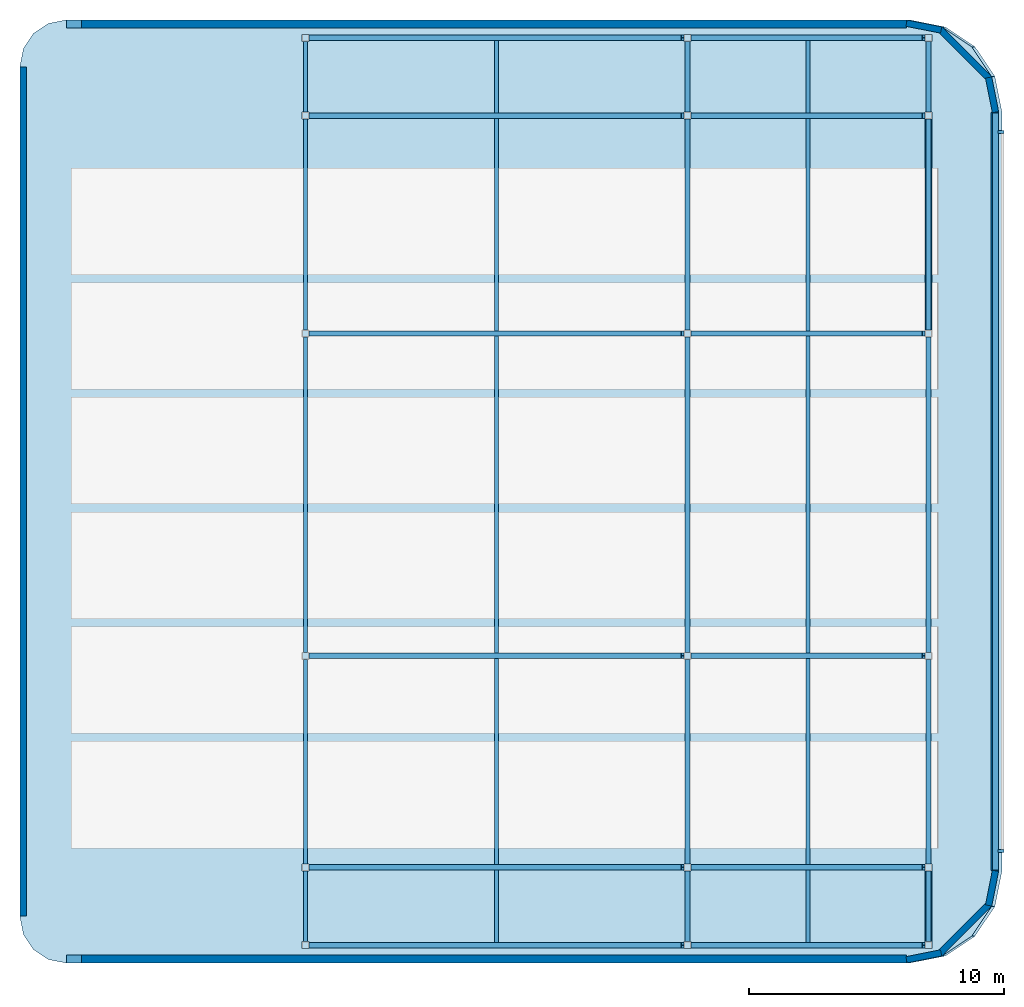
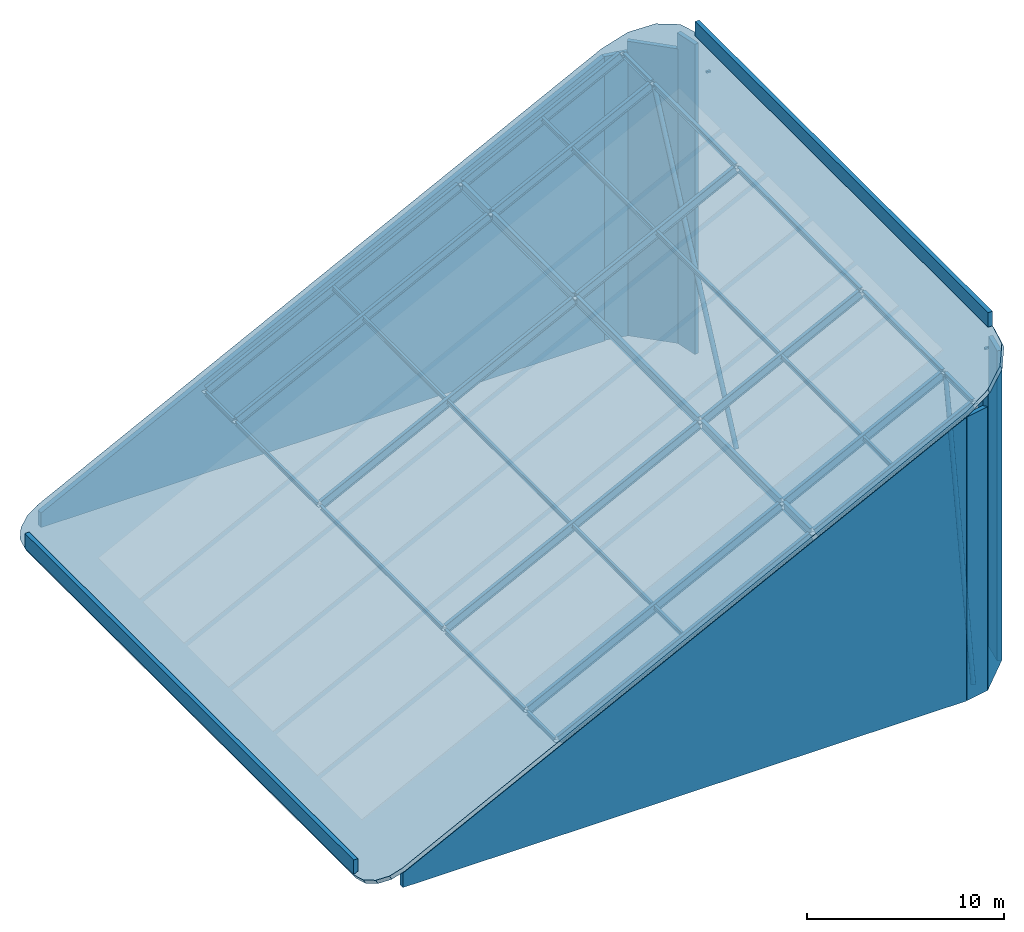
# One storey, part 3 of 4: 27 beams, 18 plates, 11 walls, 4 members, 2 discrete accessories, 1 slab.
"""IFC4 building model written with IfcOpenShell, lengths in metres."""

from ifc_helpers import new_model, si_unit, direction, frame, frame_2d, origin, origin_2d, place, context, subcontext, project, spatial, polyline, rectangle, hollow_circle, i_section, outline, extrude, material, layer, layer_set, material_profile, profile_set, type_object, element, save


model = new_model("IFC4")

# Units and contexts
model_context = context("Model", 3, precision=1e-05, world=origin(), true_north=direction((0.0, 1.0)))
body_context = subcontext(model_context, "Body", "Model", "MODEL_VIEW")
ifc_project = project(units=[si_unit("LENGTHUNIT", "METRE"), si_unit("AREAUNIT", "SQUARE_METRE"), si_unit("VOLUMEUNIT", "CUBIC_METRE"), si_unit("PLANEANGLEUNIT", "RADIAN"), si_unit("MASSUNIT", "GRAM", prefix="KILO")], contexts=[model_context])

# Site, building, storey
site_placement = place(None, origin())
site = spatial("IfcSite", under=ifc_project, at=site_placement, CompositionType="ELEMENT")
building_placement = place(site_placement, origin())
building = spatial("IfcBuilding", under=site, at=building_placement, Name="Ochreholt Gables", CompositionType="ELEMENT")
storey_placement = place(building_placement, frame((0.0, 0.0, 293.0)))
storey = spatial("IfcBuildingStorey", under=building, at=storey_placement, Name="Roof", CompositionType="ELEMENT", Elevation=293.0)

# Beams
ifc_material_1 = material(Name="Steel CSA G40.21 350W", Category="steel")
ifc_material_profile_1 = material_profile(ifc_material_1, i_section(OverallWidth=0.14794921875, OverallDepth=0.26611328125, WebThickness=0.007568359375, FlangeThickness=0.012939453125, at=origin_2d()), Name="W250X45")
ifc_profile_set_1 = profile_set([ifc_material_profile_1], Name="Steel CSA G40.21 350W")
beam_type_1 = type_object("IfcBeamType", Name="BM-EAV-W250", PredefinedType="SPANDREL", material=ifc_profile_set_1)
beam_1_placement = place(storey_placement, frame((35.199951171875, 6.326904296875, 5.3544921875), z_axis=(0.0, 1.0, 0.0), x_axis=(-1.0, 0.0, 0.0)))
element("IfcBeam", 1, at=beam_1_placement, inside=storey, type_object=beam_type_1, Name="Roof Crown Tie Girder C2-1", PredefinedType="SPANDREL", context=body_context, shape_type="SweptSolid", body=[
    extrude(i_section(OverallWidth=0.14794921875, OverallDepth=0.26611328125, WebThickness=0.007568359375, FlangeThickness=0.012939453125, at=origin_2d()), origin(), (0.0, 0.0, 1.0), 2.796142578125),
])
beam_2_placement = place(storey_placement, frame((35.199951171875, 9.376953125, 5.3544921875), z_axis=(0.0, 1.0, 0.0), x_axis=(-1.0, 0.0, 0.0)))
element("IfcBeam", 2, at=beam_2_placement, inside=storey, type_object=beam_type_1, Name="Roof Crown Tie Girder C2-2", PredefinedType="SPANDREL", context=body_context, shape_type="SweptSolid", body=[
    extrude(i_section(OverallWidth=0.14794921875, OverallDepth=0.26611328125, WebThickness=0.007568359375, FlangeThickness=0.012939453125, at=origin_2d()), origin(), (0.0, 0.0, 1.0), 8.046142578125),
])
beam_3_placement = place(storey_placement, frame((35.199951171875, 17.677001953125, 5.3544921875), z_axis=(0.0, 1.0, 0.0), x_axis=(-1.0, 0.0, 0.0)))
element("IfcBeam", 3, at=beam_3_placement, inside=storey, type_object=beam_type_1, Name="Roof Crown Tie Girder C2-3", PredefinedType="SPANDREL", context=body_context, shape_type="SweptSolid", body=[
    extrude(i_section(OverallWidth=0.14794921875, OverallDepth=0.26611328125, WebThickness=0.007568359375, FlangeThickness=0.012939453125, at=origin_2d()), origin(), (0.0, 0.0, 1.0), 12.39599609375),
])
beam_4_placement = place(storey_placement, frame((35.199951171875, 30.326904296875, 5.3544921875), z_axis=(0.0, 1.0, 0.0), x_axis=(-1.0, 0.0, 0.0)))
element("IfcBeam", 4, at=beam_4_placement, inside=storey, type_object=beam_type_1, Name="Roof Crown Tie Girder C2-4", PredefinedType="SPANDREL", context=body_context, shape_type="SweptSolid", body=[
    extrude(i_section(OverallWidth=0.14794921875, OverallDepth=0.26611328125, WebThickness=0.007568359375, FlangeThickness=0.012939453125, at=origin_2d()), origin(), (0.0, 0.0, 1.0), 8.296142578125),
])
beam_5_placement = place(storey_placement, frame((35.199951171875, 38.876953125, 5.3544921875), z_axis=(0.0, 1.0, 0.0), x_axis=(-1.0, 0.0, 0.0)))
element("IfcBeam", 5, at=beam_5_placement, inside=storey, type_object=beam_type_1, Name="Roof Crown Tie Girder C2-5", PredefinedType="SPANDREL", context=body_context, shape_type="SweptSolid", body=[
    extrude(i_section(OverallWidth=0.14794921875, OverallDepth=0.26611328125, WebThickness=0.007568359375, FlangeThickness=0.012939453125, at=origin_2d()), origin(), (0.0, 0.0, 1.0), 2.796142578125),
])
ifc_material_profile_2 = material_profile(ifc_material_1, i_section(OverallWidth=0.2109375, OverallDepth=0.5390625, WebThickness=0.01171875, FlangeThickness=0.018798828125, at=origin_2d()), Name="W530X109")
ifc_profile_set_2 = profile_set([ifc_material_profile_2], Name="Steel CSA G40.21 350W")
beam_type_2 = type_object("IfcBeamType", Name="BM-G-W530A", PredefinedType="BEAM", material=ifc_profile_set_2)
beam_6_placement = place(storey_placement, frame((35.326904296875, 6.199951171875, 5.418701171875), z_axis=(0.892559308386, 0.0, 0.450930017867), x_axis=(0.0, 1.0, 0.0)))
element("IfcBeam", 6, at=beam_6_placement, inside=storey, type_object=beam_type_2, Name="Roof Slanted Crown Rafter C2EM-Y1", PredefinedType="BEAM", context=body_context, shape_type="SweptSolid", body=[
    extrude(i_section(OverallWidth=0.2109375, OverallDepth=0.5390625, WebThickness=0.01171875, FlangeThickness=0.018798828125, at=origin_2d()), origin(), (0.0, 0.0, 1.0), 16.510986328125),
])
beam_7_placement = place(storey_placement, frame((50.318115234375, 6.199951171875, 12.992431640625), z_axis=(0.892554103921, 0.0, 0.450940319304), x_axis=(0.0, 1.0, 0.0)))
element("IfcBeam", 7, at=beam_7_placement, inside=storey, type_object=beam_type_2, Name="Roof Slanted Crown Rafter EMEE-Y1", PredefinedType="BEAM", context=body_context, shape_type="SweptSolid", body=[
    extrude(i_section(OverallWidth=0.2109375, OverallDepth=0.5390625, WebThickness=0.01171875, FlangeThickness=0.018798828125, at=origin_2d()), origin(), (0.0, 0.0, 1.0), 10.313720703125),
])
beam_8_placement = place(storey_placement, frame((35.326904296875, 9.25, 5.418701171875), z_axis=(0.892559308386, 0.0, 0.450930017867), x_axis=(0.0, 1.0, 0.0)))
element("IfcBeam", 8, at=beam_8_placement, inside=storey, type_object=beam_type_2, Name="Roof Slanted Crown Rafter C2EM-Y2", PredefinedType="BEAM", context=body_context, shape_type="SweptSolid", body=[
    extrude(i_section(OverallWidth=0.2109375, OverallDepth=0.5390625, WebThickness=0.01171875, FlangeThickness=0.018798828125, at=origin_2d()), origin(), (0.0, 0.0, 1.0), 16.510986328125),
])
beam_9_placement = place(storey_placement, frame((50.318115234375, 9.25, 12.992431640625), z_axis=(0.892554103921, 0.0, 0.450940319304), x_axis=(0.0, 1.0, 0.0)))
element("IfcBeam", 9, at=beam_9_placement, inside=storey, type_object=beam_type_2, Name="Roof Slanted Crown Rafter EMEE-Y2", PredefinedType="BEAM", context=body_context, shape_type="SweptSolid", body=[
    extrude(i_section(OverallWidth=0.2109375, OverallDepth=0.5390625, WebThickness=0.01171875, FlangeThickness=0.018798828125, at=origin_2d()), origin(), (0.0, 0.0, 1.0), 10.313720703125),
])
beam_10_placement = place(storey_placement, frame((35.326904296875, 17.550048828125, 5.418701171875), z_axis=(0.892559308386, 0.0, 0.450930017867), x_axis=(0.0, 1.0, 0.0)))
element("IfcBeam", 10, at=beam_10_placement, inside=storey, type_object=beam_type_2, Name="Roof Slanted Crown Rafter C2EM-Y3", PredefinedType="BEAM", context=body_context, shape_type="SweptSolid", body=[
    extrude(i_section(OverallWidth=0.2109375, OverallDepth=0.5390625, WebThickness=0.01171875, FlangeThickness=0.018798828125, at=origin_2d()), origin(), (0.0, 0.0, 1.0), 16.510986328125),
])
beam_11_placement = place(storey_placement, frame((50.318115234375, 17.550048828125, 12.992431640625), z_axis=(0.892554103921, 0.0, 0.450940319304), x_axis=(0.0, 1.0, 0.0)))
element("IfcBeam", 11, at=beam_11_placement, inside=storey, type_object=beam_type_2, Name="Roof Slanted Crown Rafter EMEE-Y3", PredefinedType="BEAM", context=body_context, shape_type="SweptSolid", body=[
    extrude(i_section(OverallWidth=0.2109375, OverallDepth=0.5390625, WebThickness=0.01171875, FlangeThickness=0.018798828125, at=origin_2d()), origin(), (0.0, 0.0, 1.0), 10.313720703125),
])
beam_12_placement = place(storey_placement, frame((35.326904296875, 30.199951171875, 5.418701171875), z_axis=(0.892559308386, 0.0, 0.450930017867), x_axis=(0.0, 1.0, 0.0)))
element("IfcBeam", 12, at=beam_12_placement, inside=storey, type_object=beam_type_2, Name="Roof Slanted Crown Rafter C2EM-Y4", PredefinedType="BEAM", context=body_context, shape_type="SweptSolid", body=[
    extrude(i_section(OverallWidth=0.2109375, OverallDepth=0.5390625, WebThickness=0.01171875, FlangeThickness=0.018798828125, at=origin_2d()), origin(), (0.0, 0.0, 1.0), 16.510986328125),
])
beam_13_placement = place(storey_placement, frame((50.318115234375, 30.199951171875, 12.992431640625), z_axis=(0.892554103921, 0.0, 0.450940319304), x_axis=(0.0, 1.0, 0.0)))
element("IfcBeam", 13, at=beam_13_placement, inside=storey, type_object=beam_type_2, Name="Roof Slanted Crown Rafter EMEE-Y4", PredefinedType="BEAM", context=body_context, shape_type="SweptSolid", body=[
    extrude(i_section(OverallWidth=0.2109375, OverallDepth=0.5390625, WebThickness=0.01171875, FlangeThickness=0.018798828125, at=origin_2d()), origin(), (0.0, 0.0, 1.0), 10.313720703125),
])
beam_14_placement = place(storey_placement, frame((35.326904296875, 38.75, 5.418701171875), z_axis=(0.892559308386, 0.0, 0.450930017867), x_axis=(0.0, 1.0, 0.0)))
element("IfcBeam", 14, at=beam_14_placement, inside=storey, type_object=beam_type_2, Name="Roof Slanted Crown Rafter C2EM-Y5", PredefinedType="BEAM", context=body_context, shape_type="SweptSolid", body=[
    extrude(i_section(OverallWidth=0.2109375, OverallDepth=0.5390625, WebThickness=0.01171875, FlangeThickness=0.018798828125, at=origin_2d()), origin(), (0.0, 0.0, 1.0), 16.510986328125),
])
beam_15_placement = place(storey_placement, frame((50.318115234375, 38.75, 12.992431640625), z_axis=(0.892554103921, 0.0, 0.450940319304), x_axis=(0.0, 1.0, 0.0)))
element("IfcBeam", 15, at=beam_15_placement, inside=storey, type_object=beam_type_2, Name="Roof Slanted Crown Rafter EMEE-Y5", PredefinedType="BEAM", context=body_context, shape_type="SweptSolid", body=[
    extrude(i_section(OverallWidth=0.2109375, OverallDepth=0.5390625, WebThickness=0.01171875, FlangeThickness=0.018798828125, at=origin_2d()), origin(), (0.0, 0.0, 1.0), 10.313720703125),
])
beam_16_placement = place(storey_placement, frame((35.326904296875, 41.800048828125, 5.418701171875), z_axis=(0.892559308386, 0.0, 0.450930017867), x_axis=(0.0, 1.0, 0.0)))
element("IfcBeam", 16, at=beam_16_placement, inside=storey, type_object=beam_type_2, Name="Roof Slanted Crown Rafter C2EM-Y6", PredefinedType="BEAM", context=body_context, shape_type="SweptSolid", body=[
    extrude(i_section(OverallWidth=0.2109375, OverallDepth=0.5390625, WebThickness=0.01171875, FlangeThickness=0.018798828125, at=origin_2d()), origin(), (0.0, 0.0, 1.0), 16.510986328125),
])
beam_17_placement = place(storey_placement, frame((50.318115234375, 41.800048828125, 12.992431640625), z_axis=(0.892554103921, 0.0, 0.450940319304), x_axis=(0.0, 1.0, 0.0)))
element("IfcBeam", 17, at=beam_17_placement, inside=storey, type_object=beam_type_2, Name="Roof Slanted Crown Rafter EMEE-Y6", PredefinedType="BEAM", context=body_context, shape_type="SweptSolid", body=[
    extrude(i_section(OverallWidth=0.2109375, OverallDepth=0.5390625, WebThickness=0.01171875, FlangeThickness=0.018798828125, at=origin_2d()), origin(), (0.0, 0.0, 1.0), 10.313720703125),
])
beam_18_placement = place(storey_placement, frame((50.19091796875, 6.326904296875, 12.92822265625), z_axis=(0.0, 1.0, 0.0), x_axis=(-1.0, 0.0, 0.0)))
element("IfcBeam", 18, at=beam_18_placement, inside=storey, type_object=beam_type_2, Name="Roof Crown Tie Girder EM-1", PredefinedType="BEAM", context=body_context, shape_type="SweptSolid", body=[
    extrude(i_section(OverallWidth=0.2109375, OverallDepth=0.5390625, WebThickness=0.01171875, FlangeThickness=0.018798828125, at=origin_2d()), origin(), (0.0, 0.0, 1.0), 2.796142578125),
])
beam_19_placement = place(storey_placement, frame((50.19091796875, 9.376953125, 12.92822265625), z_axis=(0.0, 1.0, 0.0), x_axis=(-1.0, 0.0, 0.0)))
element("IfcBeam", 19, at=beam_19_placement, inside=storey, type_object=beam_type_2, Name="Roof Crown Tie Girder EM-2", PredefinedType="BEAM", context=body_context, shape_type="SweptSolid", body=[
    extrude(i_section(OverallWidth=0.2109375, OverallDepth=0.5390625, WebThickness=0.01171875, FlangeThickness=0.018798828125, at=origin_2d()), origin(), (0.0, 0.0, 1.0), 8.046142578125),
])
beam_20_placement = place(storey_placement, frame((50.19091796875, 17.677001953125, 12.92822265625), z_axis=(0.0, 1.0, 0.0), x_axis=(-1.0, 0.0, 0.0)))
element("IfcBeam", 20, at=beam_20_placement, inside=storey, type_object=beam_type_2, Name="Roof Crown Tie Girder EM-3", PredefinedType="BEAM", context=body_context, shape_type="SweptSolid", body=[
    extrude(i_section(OverallWidth=0.2109375, OverallDepth=0.5390625, WebThickness=0.01171875, FlangeThickness=0.018798828125, at=origin_2d()), origin(), (0.0, 0.0, 1.0), 12.39599609375),
])
beam_21_placement = place(storey_placement, frame((50.19091796875, 30.326904296875, 12.92822265625), z_axis=(0.0, 1.0, 0.0), x_axis=(-1.0, 0.0, 0.0)))
element("IfcBeam", 21, at=beam_21_placement, inside=storey, type_object=beam_type_2, Name="Roof Crown Tie Girder EM-4", PredefinedType="BEAM", context=body_context, shape_type="SweptSolid", body=[
    extrude(i_section(OverallWidth=0.2109375, OverallDepth=0.5390625, WebThickness=0.01171875, FlangeThickness=0.018798828125, at=origin_2d()), origin(), (0.0, 0.0, 1.0), 8.296142578125),
])
beam_22_placement = place(storey_placement, frame((50.19091796875, 38.876953125, 12.92822265625), z_axis=(0.0, 1.0, 0.0), x_axis=(-1.0, 0.0, 0.0)))
element("IfcBeam", 22, at=beam_22_placement, inside=storey, type_object=beam_type_2, Name="Roof Crown Tie Girder EM-5", PredefinedType="BEAM", context=body_context, shape_type="SweptSolid", body=[
    extrude(i_section(OverallWidth=0.2109375, OverallDepth=0.5390625, WebThickness=0.01171875, FlangeThickness=0.018798828125, at=origin_2d()), origin(), (0.0, 0.0, 1.0), 2.796142578125),
])
ifc_material_profile_3 = material_profile(ifc_material_1, i_section(OverallWidth=0.202880859375, OverallDepth=0.302978515625, WebThickness=0.007568359375, FlangeThickness=0.01318359375, at=origin_2d()), Name="W310X60")
ifc_profile_set_3 = profile_set([ifc_material_profile_3], Name="Steel CSA G40.21 350W")
beam_type_3 = type_object("IfcBeamType", Name="BM-RDG-W310", PredefinedType="BEAM", material=ifc_profile_set_3)
beam_23_placement = place(storey_placement, frame((59.65087890625, 6.326904296875, 17.70751953125), z_axis=(0.0, 1.0, 0.0), x_axis=(-1.0, 0.0, 0.0)))
element("IfcBeam", 23, at=beam_23_placement, inside=storey, type_object=beam_type_3, Name="Roof Crown Tie Girder EE-1", PredefinedType="BEAM", context=body_context, shape_type="SweptSolid", body=[
    extrude(i_section(OverallWidth=0.202880859375, OverallDepth=0.302978515625, WebThickness=0.007568359375, FlangeThickness=0.01318359375, at=origin_2d()), origin(), (0.0, 0.0, 1.0), 2.796142578125),
])
beam_24_placement = place(storey_placement, frame((59.65087890625, 9.376953125, 17.70751953125), z_axis=(0.0, 1.0, 0.0), x_axis=(-1.0, 0.0, 0.0)))
element("IfcBeam", 24, at=beam_24_placement, inside=storey, type_object=beam_type_3, Name="Roof Crown Tie Girder EE-2", PredefinedType="BEAM", context=body_context, shape_type="SweptSolid", body=[
    extrude(i_section(OverallWidth=0.202880859375, OverallDepth=0.302978515625, WebThickness=0.007568359375, FlangeThickness=0.01318359375, at=origin_2d()), origin(), (0.0, 0.0, 1.0), 8.046142578125),
])
beam_25_placement = place(storey_placement, frame((59.65087890625, 17.677001953125, 17.70751953125), z_axis=(0.0, 1.0, 0.0), x_axis=(-1.0, 0.0, 0.0)))
element("IfcBeam", 25, at=beam_25_placement, inside=storey, type_object=beam_type_3, Name="Roof Crown Tie Girder EE-3", PredefinedType="BEAM", context=body_context, shape_type="SweptSolid", body=[
    extrude(i_section(OverallWidth=0.202880859375, OverallDepth=0.302978515625, WebThickness=0.007568359375, FlangeThickness=0.01318359375, at=origin_2d()), origin(), (0.0, 0.0, 1.0), 12.39599609375),
])
beam_26_placement = place(storey_placement, frame((59.65087890625, 30.326904296875, 17.70751953125), z_axis=(0.0, 1.0, 0.0), x_axis=(-1.0, 0.0, 0.0)))
element("IfcBeam", 26, at=beam_26_placement, inside=storey, type_object=beam_type_3, Name="Roof Crown Tie Girder EE-4", PredefinedType="BEAM", context=body_context, shape_type="SweptSolid", body=[
    extrude(i_section(OverallWidth=0.202880859375, OverallDepth=0.302978515625, WebThickness=0.007568359375, FlangeThickness=0.01318359375, at=origin_2d()), origin(), (0.0, 0.0, 1.0), 8.296142578125),
])
beam_27_placement = place(storey_placement, frame((59.65087890625, 38.876953125, 17.70751953125), z_axis=(0.0, 1.0, 0.0), x_axis=(-1.0, 0.0, 0.0)))
element("IfcBeam", 27, at=beam_27_placement, inside=storey, type_object=beam_type_3, Name="Roof Crown Tie Girder EE-5", PredefinedType="BEAM", context=body_context, shape_type="SweptSolid", body=[
    extrude(i_section(OverallWidth=0.202880859375, OverallDepth=0.302978515625, WebThickness=0.007568359375, FlangeThickness=0.01318359375, at=origin_2d()), origin(), (0.0, 0.0, 1.0), 2.796142578125),
])

# Members
ifc_material_profile_4 = material_profile(ifc_material_1, hollow_circle(Radius=0.136474609375, WallThickness=0.009521484375, at=origin_2d()), Name="CHS273X10")
ifc_profile_set_4 = profile_set([ifc_material_profile_4], Name="Steel CSA G40.21 350W")
member_type_1 = type_object("IfcMemberType", Name="MEM-CR-BR3", PredefinedType="BRACE", material=ifc_profile_set_4)
member_1_placement = place(storey_placement, frame((59.65087890625, 6.326904296875, 0.25), z_axis=(0.0, 0.159041644882, 0.987271875014), x_axis=(-1.0, 0.0, 0.0)))
element("IfcMember", 28, at=member_1_placement, inside=storey, type_object=member_type_1, Name="Roof Crown Wind Brace 1", PredefinedType="BRACE", context=body_context, shape_type="SweptSolid", body=[
    extrude(hollow_circle(Radius=0.136474609375, WallThickness=0.009521484375, at=origin_2d()), origin(), (0.0, 0.0, 1.0), 17.581298828125),
])
member_2_placement = place(storey_placement, frame((59.65087890625, 30.326904296875, 0.25), z_axis=(0.0, 0.431234104333, 0.902240071854), x_axis=(-1.0, 0.0, 0.0)))
element("IfcMember", 29, at=member_2_placement, inside=storey, type_object=member_type_1, Name="Roof Crown Wind Brace 4", PredefinedType="BRACE", context=body_context, shape_type="SweptSolid", body=[
    extrude(hollow_circle(Radius=0.136474609375, WallThickness=0.009521484375, at=origin_2d()), origin(), (0.0, 0.0, 1.0), 19.238037109375),
])
ifc_material_profile_5 = material_profile(ifc_material_1, i_section(OverallWidth=0.14794921875, OverallDepth=0.26611328125, WebThickness=0.007568359375, FlangeThickness=0.012939453125, at=origin_2d()), Name="W250X45")
ifc_profile_set_5 = profile_set([ifc_material_profile_5], Name="Steel CSA G40.21 350W")
member_type_2 = type_object("IfcMemberType", Name="MEM-CR-PR2", PredefinedType="PURLIN", material=ifc_profile_set_5)
for number, where, z_axis, x_axis, name in (
    (30, (42.695556640625, 6.199951171875, 9.19140625), (0.0, 1.0, 0.0), (-1.0, 0.0, 0.0), "Roof Crown Continuous Purlin 1"),
    (31, (54.9208984375, 6.199951171875, 15.367919921875), (0.0, 1.0, 0.0), (-1.0, 0.0, 0.0), "Roof Crown Continuous Purlin 2"),
):
    element("IfcMember", number, at=place(storey_placement, frame(where, z_axis=z_axis, x_axis=x_axis)), inside=storey, type_object=member_type_2, Name=name, PredefinedType="PURLIN", context=body_context, shape_type="SweptSolid", body=[
        extrude(i_section(OverallWidth=0.14794921875, OverallDepth=0.26611328125, WebThickness=0.007568359375, FlangeThickness=0.012939453125, at=origin_2d()), origin(), (0.0, 0.0, 1.0), 35.60009765625),
    ])

# Plates
ifc_layer_1 = layer(ifc_material_1, 0.02490234375, Name="Steel CSA G40.21 350W")
ifc_layer_set_1 = layer_set([ifc_layer_1], Name="Steel CSA G40.21 350W")
plate_type = type_object("IfcPlateType", Name="PL-ECP", PredefinedType="USERDEFINED", material=ifc_layer_set_1)
for number, where, z_axis, x_axis, name in (
    (32, (35.199951171875, 6.199951171875, 5.354248046875), (0.0, 0.0, 1.0), (1.0, 0.0, 0.0), "Roof Crown Column Welded End Cap Plate C2Y1"),
    (33, (35.199951171875, 9.25, 5.354248046875), (0.0, 0.0, 1.0), (1.0, 0.0, 0.0), "Roof Crown Column Welded End Cap Plate C2Y2"),
    (34, (35.199951171875, 17.550048828125, 5.354248046875), (0.0, 0.0, 1.0), (1.0, 0.0, 0.0), "Roof Crown Column Welded End Cap Plate C2Y3"),
    (35, (35.199951171875, 30.199951171875, 5.354248046875), (0.0, 0.0, 1.0), (1.0, 0.0, 0.0), "Roof Crown Column Welded End Cap Plate C2Y4"),
    (36, (35.199951171875, 38.75, 5.354248046875), (0.0, 0.0, 1.0), (1.0, 0.0, 0.0), "Roof Crown Column Welded End Cap Plate C2Y5"),
    (37, (35.199951171875, 41.800048828125, 5.354248046875), (0.0, 0.0, 1.0), (1.0, 0.0, 0.0), "Roof Crown Column Welded End Cap Plate C2Y6"),
    (38, (50.19091796875, 6.199951171875, 12.927734375), (0.0, 0.0, 1.0), (1.0, 0.0, 0.0), "Roof Crown Column Welded End Cap Plate EMY1"),
    (39, (50.19091796875, 9.25, 12.927734375), (0.0, 0.0, 1.0), (1.0, 0.0, 0.0), "Roof Crown Column Welded End Cap Plate EMY2"),
    (40, (50.19091796875, 17.550048828125, 12.927734375), (0.0, 0.0, 1.0), (1.0, 0.0, 0.0), "Roof Crown Column Welded End Cap Plate EMY3"),
    (41, (50.19091796875, 30.199951171875, 12.927734375), (0.0, 0.0, 1.0), (1.0, 0.0, 0.0), "Roof Crown Column Welded End Cap Plate EMY4"),
    (42, (50.19091796875, 38.75, 12.927734375), (0.0, 0.0, 1.0), (1.0, 0.0, 0.0), "Roof Crown Column Welded End Cap Plate EMY5"),
    (43, (50.19091796875, 41.800048828125, 12.927734375), (0.0, 0.0, 1.0), (1.0, 0.0, 0.0), "Roof Crown Column Welded End Cap Plate EMY6"),
    (44, (59.65087890625, 6.199951171875, 17.70703125), (0.0, 0.0, 1.0), (1.0, 0.0, 0.0), "Roof Crown Column Welded End Cap Plate EEY1"),
    (45, (59.65087890625, 9.25, 17.70703125), (0.0, 0.0, 1.0), (1.0, 0.0, 0.0), "Roof Crown Column Welded End Cap Plate EEY2"),
    (46, (59.65087890625, 17.550048828125, 17.70703125), (0.0, 0.0, 1.0), (1.0, 0.0, 0.0), "Roof Crown Column Welded End Cap Plate EEY3"),
    (47, (59.65087890625, 30.199951171875, 17.70703125), (0.0, 0.0, 1.0), (1.0, 0.0, 0.0), "Roof Crown Column Welded End Cap Plate EEY4"),
    (48, (59.65087890625, 38.75, 17.70703125), (0.0, 0.0, 1.0), (1.0, 0.0, 0.0), "Roof Crown Column Welded End Cap Plate EEY5"),
    (49, (59.65087890625, 41.800048828125, 17.70703125), (0.0, 0.0, 1.0), (1.0, 0.0, 0.0), "Roof Crown Column Welded End Cap Plate EEY6"),
):
    element("IfcPlate", number, at=place(storey_placement, frame(where, z_axis=z_axis, x_axis=x_axis)), inside=storey, type_object=plate_type, Name=name, ObjectType="END CAP PLATE", PredefinedType="USERDEFINED", context=body_context, shape_type="SweptSolid", body=[
        extrude(rectangle(XDim=0.27001953125, YDim=0.27001953125, at=origin_2d()), origin(), (0.0, 0.0, 1.0), 0.02490234375),
    ])

# Slab
ifc_material_2 = material(Name="Precast concrete 50 MPa", Category="concrete")
ifc_layer_2 = layer(ifc_material_2, 0.280029296875, Name="Precast concrete 50 MPa")
ifc_layer_set_2 = layer_set([ifc_layer_2], Name="Precast concrete 50 MPa")
slab_type = type_object("IfcSlabType", Name="SLAB-CRN-280", PredefinedType="ROOF", material=ifc_layer_set_2)
slab_placement = place(storey_placement, frame((24.0, 7.300048828125, 0.320068359375), z_axis=(-0.450927854384, 0.0, 0.892560401396), x_axis=(0.193984752881, -0.976097039514, 0.098002474973)))
element("IfcSlab", 50, at=slab_placement, inside=storey, type_object=slab_type, Name="Roof Slanted-Cut Closed Crown Slab", PredefinedType="ROOF", context=body_context, shape_type="SweptSolid", body=[
    extrude(outline(polyline([(0.0, 0.0), (0.705836423899747, 3.469446951953614e-18), (1.370851011528079, 0.29969562595512783), (1.8938733724357641, 0.8536044471952415), (2.1953301451675498, 1.577316968650986), (10.23068807629691, 37.665768007687), (10.298797973952066, 39.23204775311118), (9.82131135334416, 40.67886523569272), (8.871262776745562, 41.786045283777796), (7.593211678616228, 42.38504480526041), (-21.494289454960956, 48.861589965860546), (-22.905747924204654, 48.86142944718419), (-24.235801025846808, 48.261930736938076), (-25.282036199832486, 47.15438107147006), (-25.88490238573725, 45.70716873011263), (-33.92026031686661, 9.618717691076611), (-33.954338945473594, 8.835471467587496), (-33.715738714025775, 8.111981798131112), (-33.240702462533726, 7.558445503256508), (-32.60154579780567, 7.258972941512881), (0.0, 0.0)])), origin(), (0.0, 0.0, -1.0), 0.280029296875),
])

# Walls
ifc_material_3 = material(Name="Precast concrete 40 MPa", Category="concrete")
ifc_layer_3 = layer(ifc_material_3, 0.25, Name="Precast concrete 40 MPa")
ifc_layer_set_3 = layer_set([ifc_layer_3], Name="Precast concrete 40 MPa")
wall_type_1 = type_object("IfcWallType", Name="WALL-EXT-CNR", PredefinedType="SOLIDWALL", material=ifc_layer_set_3)
wall_1_placement = place(storey_placement, frame((58.785400390625, 5.62451171875, 0.0), z_axis=(0.0, 0.0, 1.0), x_axis=(0.980803813436, 0.194997127029, 0.0)))
element("IfcWall", 51, at=wall_1_placement, inside=storey, type_object=wall_type_1, Name="Roof Slanted Crown Corner Wall SE-1", PredefinedType="SOLIDWALL", context=body_context, shape_type="SweptSolid", body=[
    extrude(rectangle(XDim=1.384765625, YDim=0.25, at=frame_2d((0.6923828125, 0.0))), origin(), (0.0, 0.0, 1.0), 17.553955078125),
])
wall_2_placement = place(storey_placement, frame((60.096435546875, 5.869384765625, 0.0), z_axis=(0.0, 0.0, 1.0), x_axis=(0.707062153285, 0.707151406271, 0.0)))
element("IfcWall", 52, at=wall_2_placement, inside=storey, type_object=wall_type_1, Name="Roof Slanted Crown Corner Wall SE-2", PredefinedType="SOLIDWALL", context=body_context, shape_type="SweptSolid", body=[
    extrude(rectangle(XDim=2.7353515625, YDim=0.25, at=frame_2d((1.36767578125, 0.0))), origin(), (0.0, 0.0, 1.0), 18.21630859375),
])
for number, where, z_axis, x_axis, name in (
    (53, (62.00537109375, 7.756591796875, 0.0), (0.0, 0.0, 1.0), (0.195030852425, 0.980797107766, 0.0), "Roof Slanted Crown Corner Wall SE-3"),
    (54, (62.275390625, 38.885498046875, 0.0), (0.0, 0.0, 1.0), (-0.195030852425, 0.980797107766, 0.0), "Roof Slanted Crown Corner Wall NE-1"),
):
    element("IfcWall", number, at=place(storey_placement, frame(where, z_axis=z_axis, x_axis=x_axis)), inside=storey, type_object=wall_type_1, Name=name, PredefinedType="SOLIDWALL", context=body_context, shape_type="SweptSolid", body=[
        extrude(rectangle(XDim=1.384521484375, YDim=0.25, at=frame_2d((0.6923828125, 0.0))), origin(), (0.0, 0.0, 1.0), 19.1806640625),
    ])
wall_3_placement = place(storey_placement, frame((62.030517578125, 40.1962890625, 0.0), z_axis=(0.0, 0.0, 1.0), x_axis=(-0.707062153285, 0.707151406271, 0.0)))
element("IfcWall", 55, at=wall_3_placement, inside=storey, type_object=wall_type_1, Name="Roof Slanted Crown Corner Wall NE-2", PredefinedType="SOLIDWALL", context=body_context, shape_type="SweptSolid", body=[
    extrude(rectangle(XDim=2.7353515625, YDim=0.25, at=frame_2d((1.36767578125, 0.0))), origin(), (0.0, 0.0, 1.0), 18.21630859375),
])
wall_4_placement = place(storey_placement, frame((60.1435546875, 42.10546875, 0.0), z_axis=(0.0, 0.0, 1.0), x_axis=(-0.980803813436, 0.194997127029, 0.0)))
element("IfcWall", 56, at=wall_4_placement, inside=storey, type_object=wall_type_1, Name="Roof Slanted Crown Corner Wall NE-3", PredefinedType="SOLIDWALL", context=body_context, shape_type="SweptSolid", body=[
    extrude(rectangle(XDim=1.384765625, YDim=0.25, at=frame_2d((0.6923828125, 0.0))), origin(), (0.0, 0.0, 1.0), 17.553955078125),
])
ifc_layer_4 = layer(ifc_material_2, 0.31005859375, Name="Precast concrete 50 MPa")
ifc_layer_set_4 = layer_set([ifc_layer_4], Name="Precast concrete 50 MPa")
wall_type_2 = type_object("IfcWallType", Name="WALL-EXT-PLT", PredefinedType="SOLIDWALL", material=ifc_layer_set_4)
for number, where, z_axis, x_axis, name in (
    (57, (25.820068359375, 5.655029296875, 0.0), (0.0, 0.0, 1.0), (1.0, 0.0, 0.0), "Roof Slanted Crown S Screen Wall"),
    (58, (25.820068359375, 42.344970703125, 0.0), (0.0, 0.0, 1.0), (1.0, 0.0, 0.0), "Roof Slanted Crown N Screen Wall"),
):
    element("IfcWall", number, at=place(storey_placement, frame(where, z_axis=z_axis, x_axis=x_axis)), inside=storey, type_object=wall_type_2, Name=name, PredefinedType="SOLIDWALL", context=body_context, shape_type="SweptSolid", body=[
        extrude(outline(polyline([(0.0, 0.0), (32.9599609375, 0.0), (32.9599609375, 17.551025390625), (0.0, 0.8994140625), (0.0, 0.0)])), frame((0.0, 0.155029296875, 0.0), z_axis=(0.0, -1.0, 0.0), x_axis=(1.0, 0.0, 0.0)), (0.0, 0.0, 1.0), 0.31005859375),
    ])
wall_5_placement = place(storey_placement, frame((62.2451171875, 9.1201171875, 0.0), z_axis=(0.0, 0.0, 1.0), x_axis=(0.0, 1.0, 0.0)))
element("IfcWall", 59, at=wall_5_placement, inside=storey, type_object=wall_type_2, Name="Roof Slanted Crown East Facade Wall", PredefinedType="SOLIDWALL", context=body_context, shape_type="SweptSolid", body=[
    extrude(rectangle(XDim=29.759765625, YDim=0.31005859375, at=frame_2d((14.8798828125, 0.0))), origin(), (0.0, 0.0, 1.0), 19.3798828125),
])
ifc_layer_5 = layer(ifc_material_3, 0.25, Name="Precast concrete 40 MPa")
ifc_layer_set_5 = layer_set([ifc_layer_5], Name="Precast concrete 40 MPa")
wall_type_3 = type_object("IfcWallType", Name="WALL-PRP-250", PredefinedType="PARAPET", material=ifc_layer_set_5)
wall_6_placement = place(storey_placement, frame((62.27490234375, 9.14990234375, 19.719970703125), z_axis=(0.0, 0.0, 1.0), x_axis=(0.0, 1.0, 0.0)))
element("IfcWall", 60, at=wall_6_placement, inside=storey, type_object=wall_type_3, Name="Roof Crown High Ridge Parapet", PredefinedType="PARAPET", context=body_context, shape_type="SweptSolid", body=[
    extrude(rectangle(XDim=29.7001953125, YDim=0.25, at=frame_2d((14.85009765625, 0.0))), origin(), (0.0, 0.0, 1.0), 0.900146484375),
])
wall_7_placement = place(storey_placement, frame((24.125, 40.64990234375, 0.320068359375), z_axis=(0.0, 0.0, 1.0), x_axis=(0.0, -1.0, 0.0)))
element("IfcWall", 61, at=wall_7_placement, inside=storey, type_object=wall_type_3, Name="Roof Crown Low Eave Parapet", PredefinedType="PARAPET", context=body_context, shape_type="SweptSolid", body=[
    extrude(rectangle(XDim=33.2998046875, YDim=0.25, at=frame_2d((16.64990234375, 0.0))), origin(), (0.0, 0.0, 1.0), 0.89990234375),
])

# Discrete accessories
ifc_material_4 = material(Name="Extruded Aluminium Standoff Bracket", Category="aluminium")
discrete_accessory_type = type_object("IfcDiscreteAccessoryType", Name="ACC-BRACKET-AL", PredefinedType="BRACKET", material=ifc_material_4)
for number, where, z_axis, x_axis, name in (
    (62, (62.489990234375, 9.89990234375, 17.800048828125), (0.0, 0.0, 1.0), (0.0, 1.0, 0.0), "Roof Baguette Standoff Bracket E1-1"),
    (63, (62.489990234375, 38.10009765625, 17.800048828125), (0.0, 0.0, 1.0), (0.0, 1.0, 0.0), "Roof Baguette Standoff Bracket E1-2"),
):
    element("IfcDiscreteAccessory", number, at=place(storey_placement, frame(where, z_axis=z_axis, x_axis=x_axis)), inside=storey, type_object=discrete_accessory_type, Name=name, PredefinedType="BRACKET", context=body_context, shape_type="SweptSolid", body=[
        extrude(rectangle(XDim=0.1201171875, YDim=0.239990234375, at=origin_2d()), origin(), (0.0, 0.0, 1.0), 0.1201171875),
    ])

save(model, "model.ifc")
